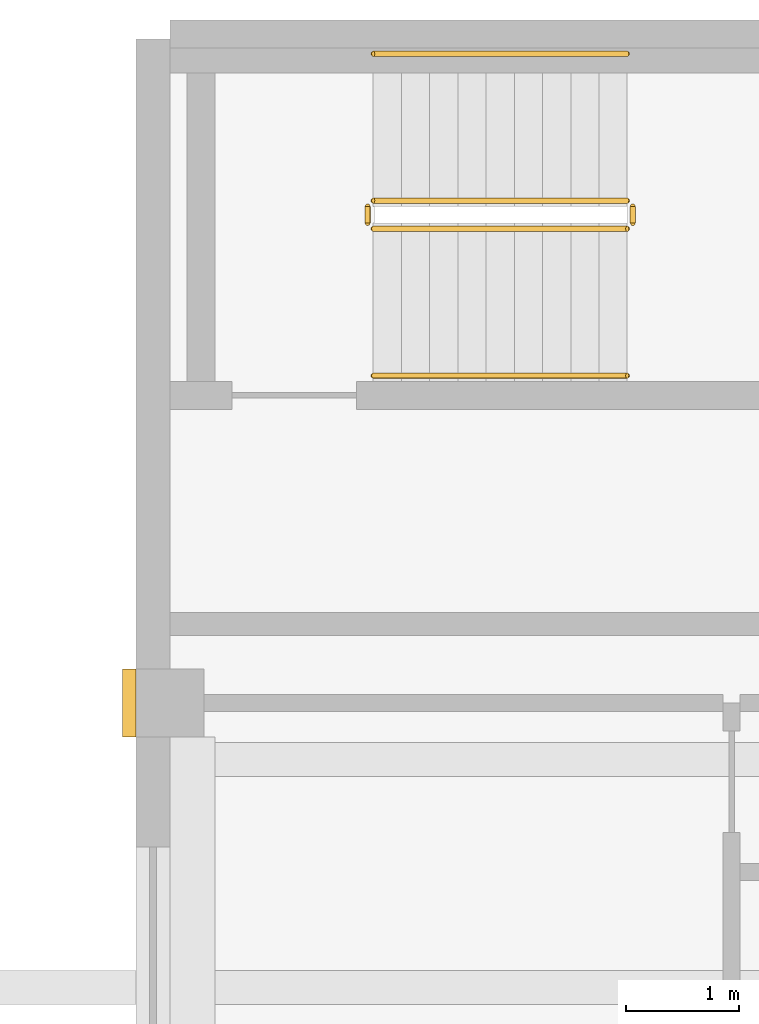
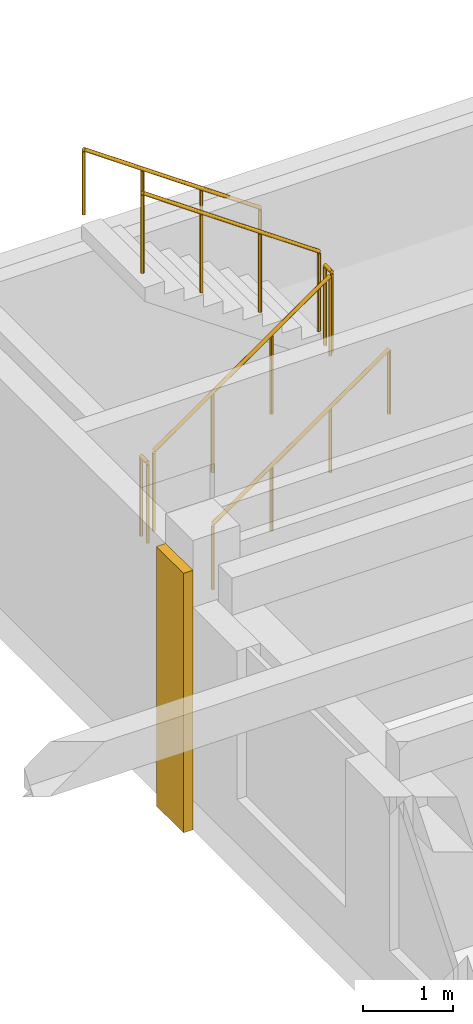
# One storey, part 10 of 10: 6 railings, 1 covering.
"""IFC4 building model written with IfcOpenShell, lengths in metres."""

from ifc_helpers import new_model, si_unit, direction, frame, origin, origin_2d, place, context, subcontext, project, spatial, rectangle, circle, extrude, source, transform, mapped, material, type_object, element, save


model = new_model("IFC4")

# Units and contexts
model_context = context("Model", 3, precision=1e-05, world=origin(), true_north=direction((0.0, 1.0)))
body_context = subcontext(model_context, "Body", "Model", "MODEL_VIEW")
ifc_project = project(units=[si_unit("LENGTHUNIT", "METRE"), si_unit("AREAUNIT", "SQUARE_METRE"), si_unit("VOLUMEUNIT", "CUBIC_METRE"), si_unit("PLANEANGLEUNIT", "RADIAN"), si_unit("MASSUNIT", "GRAM", prefix="KILO")], contexts=[model_context])

# Site, building, storey
site_placement = place(None, origin())
site = spatial("IfcSite", under=ifc_project, at=site_placement, CompositionType="ELEMENT")
building_placement = place(site_placement, origin())
building = spatial("IfcBuilding", under=site, at=building_placement, Name="Aurelian Terraces", CompositionType="ELEMENT")
storey_placement = place(building_placement, frame((0.0, 0.0, 326.5)))
storey = spatial("IfcBuildingStorey", under=building, at=storey_placement, Name="L76", CompositionType="ELEMENT", Elevation=326.5)

# Covering
ifc_material_1 = material(Name="Terracotta rainscreen cladding relief", Category="masonry")
covering_type = type_object("IfcCoveringType", Name="BAGUETTE-TC", PredefinedType="CLADDING", material=ifc_material_1)
shared_shape_1 = source(origin(), body_context, "Body", "SweptSolid", [
    extrude(rectangle(XDim=0.12, YDim=0.6, at=origin_2d()), origin(), (0.0, 0.0, 1.0), 3.5),
])
covering_placement = place(storey_placement, frame((10.44, 37.8, -0.4), z_axis=(0.0, 0.0, 1.0), x_axis=(1.0, 0.0, 0.0)))
element("IfcCovering", 1, at=covering_placement, inside=storey, type_object=covering_type, Name="BAGUETTE pier L76 7", PredefinedType="CLADDING", context=body_context, shape_type="MappedRepresentation", body=[
    mapped(shared_shape_1, transform((0.0, 0.0, 0.0), scale=1.0)),
])

# Railings
ifc_material_2 = material(Name="Stainless steel", Category="steel")
railing_type_1 = type_object("IfcRailingType", Name="Stair guard 1100", PredefinedType="GUARDRAIL", material=ifc_material_2)
shared_shape_2 = source(origin(), body_context, "Body", "SweptSolid", [
    extrude(circle(Radius=0.024, at=origin_2d()), frame((0.0, 0.0, 1.076), z_axis=(0.0, 1.0, 0.0), x_axis=(-1.0, 0.0, 0.0)), (0.0, 0.0, 1.0), 0.15),
    extrude(circle(Radius=0.021, at=origin_2d()), origin(), (0.0, 0.0, 1.0), 1.052),
    extrude(circle(Radius=0.021, at=origin_2d()), frame((0.0, 0.15, 0.0)), (0.0, 0.0, 1.0), 1.052),
])
for number, where, name in (
    (2, (14.9, 42.05, 1.75), "L76 S3U stair guard 2"),
    (3, (12.55, 42.05, 0.0), "L76 S3U stair guard 4"),
):
    element("IfcRailing", number, at=place(storey_placement, frame(where)), inside=storey, type_object=railing_type_1, Name=name, PredefinedType="GUARDRAIL", context=body_context, shape_type="MappedRepresentation", body=[
        mapped(shared_shape_2, transform((0.0, 0.0, 0.0), scale=1.0)),
    ])
shared_shape_3 = source(origin(), body_context, "Body", "SweptSolid", [
    extrude(circle(Radius=0.024, at=origin_2d()), frame((0.0, 0.0, 1.076), z_axis=(0.819231920519, 0.0, 0.573462344363), x_axis=(0.0, 1.0, 0.0)), (0.0, 0.0, 1.0), 2.7465),
    extrude(circle(Radius=0.021, at=origin_2d()), origin(), (0.0, 0.0, 1.0), 1.052),
    extrude(circle(Radius=0.021, at=origin_2d()), frame((0.75, 0.0, 0.525)), (0.0, 0.0, 1.0), 1.052),
    extrude(circle(Radius=0.021, at=origin_2d()), frame((1.5, 0.0, 1.05)), (0.0, 0.0, 1.0), 1.052),
    extrude(circle(Radius=0.021, at=origin_2d()), frame((2.25, 0.0, 1.575)), (0.0, 0.0, 1.0), 1.052),
])
railing_1_placement = place(storey_placement, frame((12.6, 42.0, 0.175)))
element("IfcRailing", 4, at=railing_1_placement, inside=storey, type_object=railing_type_1, Name="L76 S3U stair guard 1", PredefinedType="GUARDRAIL", context=body_context, shape_type="MappedRepresentation", body=[
    mapped(shared_shape_3, transform((0.0, 0.0, 0.0), scale=1.0)),
])
shared_shape_4 = source(origin(), body_context, "Body", "SweptSolid", [
    extrude(circle(Radius=0.024, at=origin_2d()), frame((0.0, 0.0, 1.076), z_axis=(-0.819231920519, 0.0, 0.573462344363), x_axis=(0.0, -1.0, 0.0)), (0.0, 0.0, 1.0), 2.7465),
    extrude(circle(Radius=0.021, at=origin_2d()), origin(), (0.0, 0.0, 1.0), 1.052),
    extrude(circle(Radius=0.021, at=origin_2d()), frame((-0.75, 0.0, 0.525)), (0.0, 0.0, 1.0), 1.052),
    extrude(circle(Radius=0.021, at=origin_2d()), frame((-1.5, 0.0, 1.05)), (0.0, 0.0, 1.0), 1.052),
    extrude(circle(Radius=0.021, at=origin_2d()), frame((-2.25, 0.0, 1.575)), (0.0, 0.0, 1.0), 1.052),
])
railing_2_placement = place(storey_placement, frame((14.85, 42.25, 1.925)))
element("IfcRailing", 5, at=railing_2_placement, inside=storey, type_object=railing_type_1, Name="L76 S3U stair guard 3", PredefinedType="GUARDRAIL", context=body_context, shape_type="MappedRepresentation", body=[
    mapped(shared_shape_4, transform((0.0, 0.0, 0.0), scale=1.0)),
])
railing_type_2 = type_object("IfcRailingType", Name="Stair handrail", PredefinedType="HANDRAIL", material=ifc_material_2)
shared_shape_5 = source(origin(), body_context, "Body", "SweptSolid", [
    extrude(circle(Radius=0.024, at=origin_2d()), frame((0.0, 0.0, 0.876), z_axis=(0.819231920519, 0.0, 0.573462344363), x_axis=(0.0, 1.0, 0.0)), (0.0, 0.0, 1.0), 2.7465),
    extrude(circle(Radius=0.021, at=origin_2d()), origin(), (0.0, 0.0, 1.0), 0.852),
    extrude(circle(Radius=0.021, at=origin_2d()), frame((0.75, 0.0, 0.525)), (0.0, 0.0, 1.0), 0.852),
    extrude(circle(Radius=0.021, at=origin_2d()), frame((1.5, 0.0, 1.05)), (0.0, 0.0, 1.0), 0.852),
    extrude(circle(Radius=0.021, at=origin_2d()), frame((2.25, 0.0, 1.575)), (0.0, 0.0, 1.0), 0.852),
])
railing_3_placement = place(storey_placement, frame((12.6, 40.7, 0.175)))
element("IfcRailing", 6, at=railing_3_placement, inside=storey, type_object=railing_type_2, Name="L76 S3U stair handrail 1", PredefinedType="HANDRAIL", context=body_context, shape_type="MappedRepresentation", body=[
    mapped(shared_shape_5, transform((0.0, 0.0, 0.0), scale=1.0)),
])
shared_shape_6 = source(origin(), body_context, "Body", "SweptSolid", [
    extrude(circle(Radius=0.024, at=origin_2d()), frame((0.0, 0.0, 0.876), z_axis=(-0.819231920519, 0.0, 0.573462344363), x_axis=(0.0, -1.0, 0.0)), (0.0, 0.0, 1.0), 2.7465),
    extrude(circle(Radius=0.021, at=origin_2d()), origin(), (0.0, 0.0, 1.0), 0.852),
    extrude(circle(Radius=0.021, at=origin_2d()), frame((-0.75, 0.0, 0.525)), (0.0, 0.0, 1.0), 0.852),
    extrude(circle(Radius=0.021, at=origin_2d()), frame((-1.5, 0.0, 1.05)), (0.0, 0.0, 1.0), 0.852),
    extrude(circle(Radius=0.021, at=origin_2d()), frame((-2.25, 0.0, 1.575)), (0.0, 0.0, 1.0), 0.852),
])
railing_4_placement = place(storey_placement, frame((14.85, 43.55, 1.925)))
element("IfcRailing", 7, at=railing_4_placement, inside=storey, type_object=railing_type_2, Name="L76 S3U stair handrail 2", PredefinedType="HANDRAIL", context=body_context, shape_type="MappedRepresentation", body=[
    mapped(shared_shape_6, transform((0.0, 0.0, 0.0), scale=1.0)),
])

save(model, "model.ifc")
